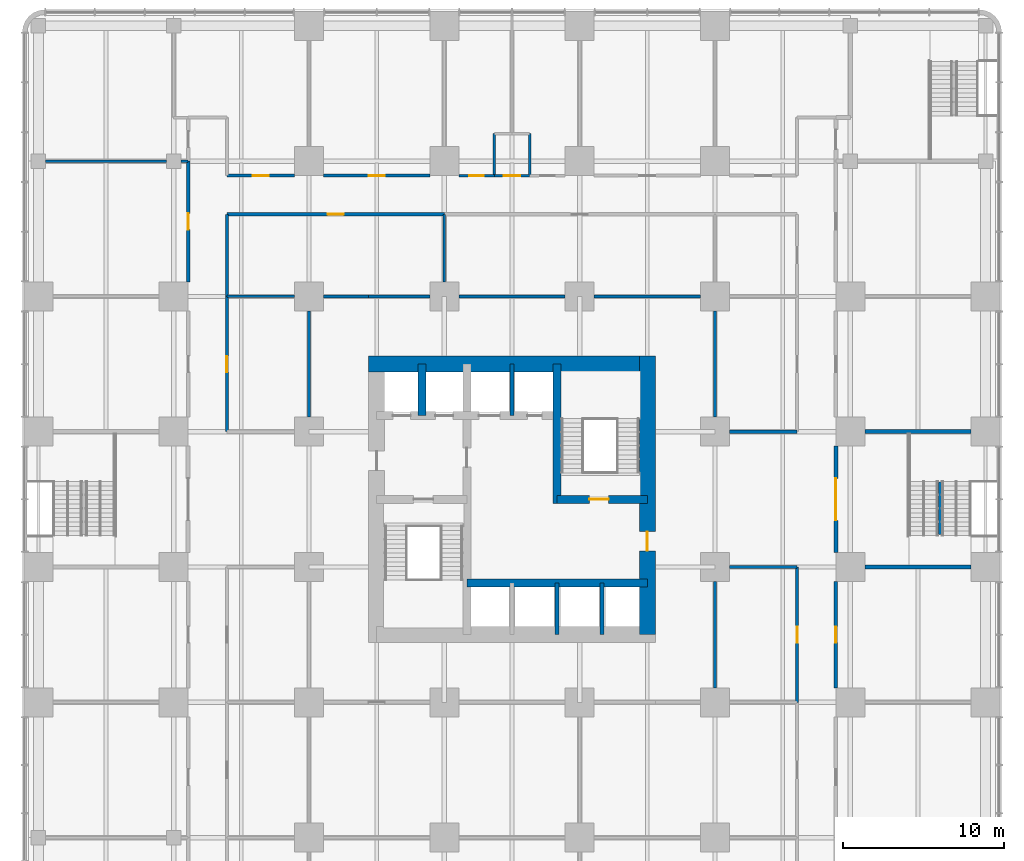
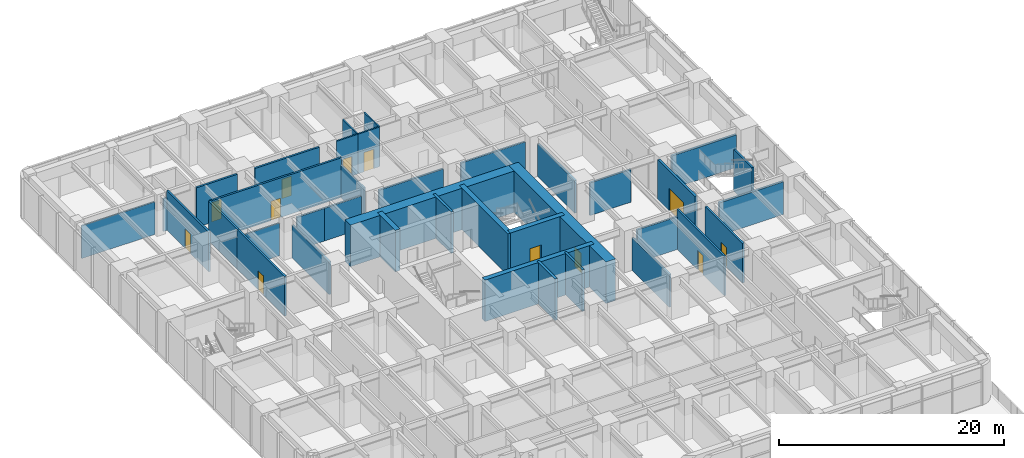
# One storey, part 13 of 20: 38 walls, 12 doors, 12 openings.
"""IFC4 building model written with IfcOpenShell, lengths in metres."""

from ifc_helpers import new_model, si_unit, direction, frame, frame_2d, origin, place, context, subcontext, project, spatial, rectangle, extrude, material, layer, layer_set, type_object, element, fill, save


model = new_model("IFC4")

# Units and contexts
model_context = context("Model", 3, precision=1e-05, world=origin(), true_north=direction((0.0, 1.0)))
body_context = subcontext(model_context, "Body", "Model", "MODEL_VIEW")
ifc_project = project(units=[si_unit("LENGTHUNIT", "METRE"), si_unit("AREAUNIT", "SQUARE_METRE"), si_unit("VOLUMEUNIT", "CUBIC_METRE"), si_unit("PLANEANGLEUNIT", "RADIAN"), si_unit("MASSUNIT", "GRAM", prefix="KILO")], contexts=[model_context])

# Site, building, storey
site_placement = place(None, origin())
site = spatial("IfcSite", under=ifc_project, at=site_placement, CompositionType="ELEMENT")
building_placement = place(site_placement, origin())
building = spatial("IfcBuilding", under=site, at=building_placement, Name="Torre Alcanfor", CompositionType="ELEMENT")
storey_placement = place(building_placement, frame((0.0, 0.0, 10.5)))
storey = spatial("IfcBuildingStorey", under=building, at=storey_placement, Name="L02", CompositionType="ELEMENT", Elevation=10.5)

# Walls
ifc_material_1 = material(Name="Concrete block masonry, hollow blocks NMX-C-404 9 MPa", Category="masonry")
ifc_layer_1 = layer(ifc_material_1, 0.14990234375)
ifc_layer_set_1 = layer_set([ifc_layer_1], Name="Classroom partition 150")
wall_type_1 = type_object("IfcWallType", Name="Classroom partition 150", PredefinedType="PARTITIONING", material=ifc_layer_set_1)
wall_1_placement = place(storey_placement, frame((0.449951171875, 50.39990234375, 0.0), z_axis=(0.0, 0.0, 1.0), x_axis=(1.0, 0.0, 0.0)))
element("IfcWall", 1, at=wall_1_placement, inside=storey, type_object=wall_type_1, Name="Partition L02-16 / L02-20", PredefinedType="PARTITIONING", context=body_context, shape_type="SweptSolid", body=[
    extrude(rectangle(XDim=7.5, YDim=0.14990234375, at=frame_2d((3.75, 0.0))), origin(), (0.0, 0.0, 1.0), 3.543212890625),
])
wall_2_placement = place(storey_placement, frame((8.85009765625, 50.39990234375, 0.0), z_axis=(0.0, 0.0, 1.0), x_axis=(1.0, 0.0, 0.0)))
element("IfcWall", 2, at=wall_2_placement, inside=storey, type_object=wall_type_1, Name="Partition L02-16 / L02-20", PredefinedType="PARTITIONING", context=body_context, shape_type="SweptSolid", body=[
    extrude(rectangle(XDim=0.449951171875, YDim=0.14990234375, at=frame_2d((0.22509765625, 0.0))), origin(), (0.0, 0.0, 1.0), 3.543212890625),
])
wall_3_placement = place(storey_placement, frame((11.699951171875, 42.0, 0.0), z_axis=(0.0, 0.0, 1.0), x_axis=(1.0, 0.0, 0.0)))
element("IfcWall", 3, at=wall_3_placement, inside=storey, type_object=wall_type_1, Name="Partition L02-I09 / L02-I11", PredefinedType="PARTITIONING", context=body_context, shape_type="SweptSolid", body=[
    extrude(rectangle(XDim=4.199951171875, YDim=0.14990234375, at=frame_2d((2.10009765625, 0.0))), origin(), (0.0, 0.0, 1.0), 3.543212890625),
])
wall_4_placement = place(storey_placement, frame((25.199951171875, 47.10009765625, 0.0), z_axis=(0.0, 0.0, 1.0), x_axis=(0.0, -1.0, 0.0)))
element("IfcWall", 4, at=wall_4_placement, inside=storey, type_object=wall_type_1, Name="Partition L02-I11 / L02-I12", PredefinedType="PARTITIONING", context=body_context, shape_type="SweptSolid", body=[
    extrude(rectangle(XDim=4.2001953125, YDim=0.14990234375, at=frame_2d((2.10009765625, 0.0))), origin(), (0.0, 0.0, 1.0), 3.543212890625),
])
ifc_material_2 = material(Name="Concrete f'c 70 MPa", Category="concrete")
ifc_layer_2 = layer(ifc_material_2, 0.5)
ifc_layer_set_2 = layer_set([ifc_layer_2], Name="Core inner wall 500 f'c70")
wall_type_2 = type_object("IfcWallType", Name="Core inner wall 500 f'c70", PredefinedType="SHEAR", material=ifc_layer_set_2)
wall_5_placement = place(storey_placement, frame((23.800048828125, 34.60009765625, 0.0), z_axis=(0.0, 0.0, 1.0), x_axis=(0.0, 1.0, 0.0)))
element("IfcWall", 5, at=wall_5_placement, inside=storey, type_object=wall_type_2, Name="Core wall X238 L02", PredefinedType="SHEAR", context=body_context, shape_type="SweptSolid", body=[
    extrude(rectangle(XDim=3.199951171875, YDim=0.5, at=frame_2d((1.60009765625, 0.0))), origin(), (0.0, 0.0, 1.0), 4.5),
])
wall_6_placement = place(storey_placement, frame((26.60009765625, 24.199951171875, 0.0), z_axis=(0.0, 0.0, 1.0), x_axis=(1.0, 0.0, 0.0)))
element("IfcWall", 6, at=wall_6_placement, inside=storey, type_object=wall_type_2, Name="Core wall Y242 L02", PredefinedType="SHEAR", context=body_context, shape_type="SweptSolid", body=[
    extrude(rectangle(XDim=11.199951171875, YDim=0.5, at=frame_2d((5.60009765625, 0.0))), origin(), (0.0, 0.0, 1.0), 4.5),
])
wall_7_placement = place(storey_placement, frame((32.199951171875, 29.14990234375, 0.0), z_axis=(0.0, 0.0, 1.0), x_axis=(0.0, 1.0, 0.0)))
element("IfcWall", 7, at=wall_7_placement, inside=storey, type_object=wall_type_2, Name="Core wall X322N L02", PredefinedType="SHEAR", context=body_context, shape_type="SweptSolid", body=[
    extrude(rectangle(XDim=8.650146484375, YDim=0.5, at=frame_2d((4.3251953125, 0.0))), origin(), (0.0, 0.0, 1.0), 4.5),
])

# Wall, opening, door
wall_8_placement = place(storey_placement, frame((32.199951171875, 29.39990234375, 0.0), z_axis=(0.0, 0.0, 1.0), x_axis=(1.0, 0.0, 0.0)))
wall_8 = element("IfcWall", 8, at=wall_8_placement, inside=storey, type_object=wall_type_2, Name="Core wall Y294E L02", PredefinedType="SHEAR", context=body_context, shape_type="SweptSolid", body=[
    extrude(rectangle(XDim=5.60009765625, YDim=0.5, at=frame_2d((2.800048828125, 0.0))), origin(), (0.0, 0.0, 1.0), 4.5),
])
opening_1_placement = place(wall_8_placement, frame((2.0, 0.0, 0.0)))
opening_1 = element("IfcOpeningElement", 9, at=opening_1_placement, cuts=wall_8, Name="Opening D-S2", PredefinedType="OPENING", context=body_context, shape_type="SweptSolid", body=[
    extrude(rectangle(XDim=1.199951171875, YDim=2.10009765625, at=frame_2d((0.60009765625, 1.050048828125))), frame((0.0, 0.260009765625, 0.0), z_axis=(0.0, -1.0, 0.0), x_axis=(1.0, 0.0, 0.0)), (0.0, 0.0, 1.0), 0.52001953125),
])
ifc_material_3 = material(Name="Galvanised steel sheet ASTM A653", Category="steel")
door_type_1 = type_object("IfcDoorType", Name="Stair enclosure door FD120 1200x2100", OperationType="SINGLE_SWING_LEFT", PredefinedType="DOOR", material=ifc_material_3)
door_1_placement = place(opening_1_placement, origin())
door_1 = element("IfcDoor", 10, at=door_1_placement, inside=storey, type_object=door_type_1, Name="Stair S2 door L02", OperationType="SINGLE_SWING_LEFT", OverallHeight=2.10009765625, OverallWidth=1.199951171875, PredefinedType="DOOR", context=body_context, shape_type="SweptSolid", body=[
    extrude(rectangle(XDim=1.199951171875, YDim=2.10009765625, at=frame_2d((0.60009765625, 1.050048828125))), frame((0.0, 0.02490234375, 0.0), z_axis=(0.0, -1.0, 0.0), x_axis=(1.0, 0.0, 0.0)), (0.0, 0.0, 1.0), 0.050048828125),
])
fill(opening_1, door_1)

# Walls
ifc_material_4 = material(Name="Concrete f'c 70 MPa", Category="concrete")
ifc_layer_3 = layer(ifc_material_4, 0.25)
ifc_layer_set_3 = layer_set([ifc_layer_3], Name="Core shaft wall 250 f'c70")
wall_type_3 = type_object("IfcWallType", Name="Core shaft wall 250 f'c70", PredefinedType="SHEAR", material=ifc_layer_set_3)
for number, where, z_axis, x_axis, name in (
    (11, (32.199951171875, 21.0, 0.0), (0.0, 0.0, 1.0), (0.0, 1.0, 0.0), "Core wall X322S L02"),
    (12, (35.0, 21.0, 0.0), (0.0, 0.0, 1.0), (0.0, 1.0, 0.0), "Core wall X350S L02"),
    (13, (29.39990234375, 34.60009765625, 0.0), (0.0, 0.0, 1.0), (0.0, 1.0, 0.0), "Core wall X294N L02"),
):
    element("IfcWall", number, at=place(storey_placement, frame(where, z_axis=z_axis, x_axis=x_axis)), inside=storey, type_object=wall_type_3, Name=name, PredefinedType="SHEAR", context=body_context, shape_type="SweptSolid", body=[
        extrude(rectangle(XDim=3.199951171875, YDim=0.25, at=frame_2d((1.60009765625, 0.0))), origin(), (0.0, 0.0, 1.0), 4.5),
    ])

# Wall, opening, door
ifc_material_5 = material(Name="Concrete f'c 70 MPa", Category="concrete")
ifc_layer_4 = layer(ifc_material_5, 1.0)
ifc_layer_set_4 = layer_set([ifc_layer_4], Name="Core wall 1000 f'c70")
wall_type_4 = type_object("IfcWallType", Name="Core wall 1000 f'c70", PredefinedType="SHEAR", material=ifc_layer_set_4)
wall_9_placement = place(storey_placement, frame((37.800048828125, 21.0, 0.0), z_axis=(0.0, 0.0, 1.0), x_axis=(0.0, 1.0, 0.0)))
wall_9 = element("IfcWall", 14, at=wall_9_placement, inside=storey, type_object=wall_type_4, Name="Core wall OUT-E L02", PredefinedType="SHEAR", context=body_context, shape_type="SweptSolid", body=[
    extrude(rectangle(XDim=17.300048828125, YDim=1.0, at=frame_2d((8.64990234375, 0.0))), origin(), (0.0, 0.0, 1.0), 4.5),
])
opening_2_placement = place(wall_9_placement, frame((5.199951171875, 0.0, 0.0)))
opening_2 = element("IfcOpeningElement", 15, at=opening_2_placement, cuts=wall_9, Name="Opening D-L1", PredefinedType="OPENING", context=body_context, shape_type="SweptSolid", body=[
    extrude(rectangle(XDim=1.199951171875, YDim=2.10009765625, at=frame_2d((0.60009765625, 1.050048828125))), frame((0.0, 0.510009765625, 0.0), z_axis=(0.0, -1.0, 0.0), x_axis=(1.0, 0.0, 0.0)), (0.0, 0.0, 1.0), 1.02001953125),
])
ifc_material_6 = material(Name="Galvanised steel sheet ASTM A653", Category="steel")
door_type_2 = type_object("IfcDoorType", Name="Lobby door FD120 1200x2100", OperationType="SINGLE_SWING_LEFT", PredefinedType="DOOR", material=ifc_material_6)
door_2_placement = place(opening_2_placement, frame((1.199951171875, 0.0, 0.0), z_axis=(0.0, 0.0, 1.0), x_axis=(-1.0, 0.0, 0.0)))
door_2 = element("IfcDoor", 16, at=door_2_placement, inside=storey, type_object=door_type_2, Name="Lift lobby entrance door L02", OperationType="SINGLE_SWING_RIGHT", OverallHeight=2.10009765625, OverallWidth=1.199951171875, PredefinedType="DOOR", context=body_context, shape_type="SweptSolid", body=[
    extrude(rectangle(XDim=1.199951171875, YDim=2.10009765625, at=frame_2d((0.599853515625, 1.050048828125))), frame((0.0, 0.025146484375, 0.0), z_axis=(0.0, -1.0, 0.0), x_axis=(1.0, 0.0, 0.0)), (0.0, 0.0, 1.0), 0.050048828125),
])
fill(opening_2, door_2)

# Wall
wall_10_placement = place(storey_placement, frame((37.800048828125, 37.800048828125, 0.0), z_axis=(0.0, 0.0, 1.0), x_axis=(-1.0, 0.0, 0.0)))
element("IfcWall", 17, at=wall_10_placement, inside=storey, type_object=wall_type_4, Name="Core wall OUT-N L02", PredefinedType="SHEAR", context=body_context, shape_type="SweptSolid", body=[
    extrude(rectangle(XDim=17.300048828125, YDim=1.0, at=frame_2d((8.64990234375, 0.0))), origin(), (0.0, 0.0, 1.0), 4.5),
])

# Wall, opening, door
ifc_material_7 = material(Name="Concrete block masonry, hollow blocks NMX-C-404 9 MPa", Category="masonry")
ifc_layer_5 = layer(ifc_material_7, 0.199951171875)
ifc_layer_set_5 = layer_set([ifc_layer_5], Name="School corridor wall 200")
wall_type_5 = type_object("IfcWallType", Name="School corridor wall 200", PredefinedType="PARTITIONING", material=ifc_layer_set_5)
wall_11_placement = place(storey_placement, frame((49.5, 17.699951171875, 0.0), z_axis=(0.0, 0.0, 1.0), x_axis=(0.0, 1.0, 0.0)))
wall_11 = element("IfcWall", 18, at=wall_11_placement, inside=storey, type_object=wall_type_5, Name="Partition L02-13 / L02-CORR", PredefinedType="PARTITIONING", context=body_context, shape_type="SweptSolid", body=[
    extrude(rectangle(XDim=6.60009765625, YDim=0.199951171875, at=frame_2d((3.300048828125, 0.0))), origin(), (0.0, 0.0, 1.0), 4.300048828125),
])
opening_3_placement = place(wall_11_placement, frame((2.800048828125, 0.0, 0.0)))
opening_3 = element("IfcOpeningElement", 19, at=opening_3_placement, cuts=wall_11, Name="Opening D-C1", PredefinedType="OPENING", context=body_context, shape_type="SweptSolid", body=[
    extrude(rectangle(XDim=1.0, YDim=2.10009765625, at=frame_2d((0.5, 1.050048828125))), frame((0.0, 0.10986328125, 0.0), z_axis=(0.0, -1.0, 0.0), x_axis=(1.0, 0.0, 0.0)), (0.0, 0.0, 1.0), 0.219970703125),
])
ifc_material_8 = material(Name="Timber", Category="wood")
door_type_3 = type_object("IfcDoorType", Name="Classroom door 1000x2100", OperationType="SINGLE_SWING_RIGHT", PredefinedType="DOOR", material=ifc_material_8)
door_3_placement = place(opening_3_placement, frame((1.0, 0.0, 0.0), z_axis=(0.0, 0.0, 1.0), x_axis=(-1.0, 0.0, 0.0)))
door_3 = element("IfcDoor", 20, at=door_3_placement, inside=storey, type_object=door_type_3, Name="Door L02-13 classroom", OperationType="SINGLE_SWING_RIGHT", OverallHeight=2.10009765625, OverallWidth=1.0, PredefinedType="DOOR", context=body_context, shape_type="SweptSolid", body=[
    extrude(rectangle(XDim=1.0, YDim=2.10009765625, at=frame_2d((0.5, 1.050048828125))), frame((0.0, 0.025146484375, 0.0), z_axis=(0.0, -1.0, 0.0), x_axis=(1.0, 0.0, 0.0)), (0.0, 0.0, 1.0), 0.050048828125),
])
fill(opening_3, door_3)

wall_12_placement = place(storey_placement, frame((9.300048828125, 50.39990234375, 0.0), z_axis=(0.0, 0.0, 1.0), x_axis=(0.0, -1.0, 0.0)))
wall_12 = element("IfcWall", 21, at=wall_12_placement, inside=storey, type_object=wall_type_5, Name="Partition L02-16 / L02-CORR", PredefinedType="PARTITIONING", context=body_context, shape_type="SweptSolid", body=[
    extrude(rectangle(XDim=7.5, YDim=0.199951171875, at=frame_2d((3.75, 0.0))), origin(), (0.0, 0.0, 1.0), 4.300048828125),
])
opening_4_placement = place(wall_12_placement, frame((3.25, 0.0, 0.0)))
opening_4 = element("IfcOpeningElement", 22, at=opening_4_placement, cuts=wall_12, Name="Opening D-C1", PredefinedType="OPENING", context=body_context, shape_type="SweptSolid", body=[
    extrude(rectangle(XDim=1.0, YDim=2.10009765625, at=frame_2d((0.5, 1.050048828125))), frame((0.0, 0.10986328125, 0.0), z_axis=(0.0, -1.0, 0.0), x_axis=(1.0, 0.0, 0.0)), (0.0, 0.0, 1.0), 0.219970703125),
])
door_4_placement = place(opening_4_placement, frame((1.0, 0.0, 0.0), z_axis=(0.0, 0.0, 1.0), x_axis=(-1.0, 0.0, 0.0)))
door_4 = element("IfcDoor", 23, at=door_4_placement, inside=storey, type_object=door_type_3, Name="Door L02-16 classroom", OperationType="SINGLE_SWING_RIGHT", OverallHeight=2.10009765625, OverallWidth=1.0, PredefinedType="DOOR", context=body_context, shape_type="SweptSolid", body=[
    extrude(rectangle(XDim=1.0, YDim=2.10009765625, at=frame_2d((0.5, 1.050048828125))), frame((0.0, 0.025146484375, 0.0), z_axis=(0.0, -1.0, 0.0), x_axis=(1.0, 0.0, 0.0)), (0.0, 0.0, 1.0), 0.050048828125),
])
fill(opening_4, door_4)

wall_13_placement = place(storey_placement, frame((24.300048828125, 49.5, 0.0), z_axis=(0.0, 0.0, 1.0), x_axis=(-1.0, 0.0, 0.0)))
wall_13 = element("IfcWall", 24, at=wall_13_placement, inside=storey, type_object=wall_type_5, Name="Partition L02-18 / L02-CORR", PredefinedType="PARTITIONING", context=body_context, shape_type="SweptSolid", body=[
    extrude(rectangle(XDim=6.60009765625, YDim=0.199951171875, at=frame_2d((3.300048828125, 0.0))), origin(), (0.0, 0.0, 1.0), 4.300048828125),
])
opening_5_placement = place(wall_13_placement, frame((2.800048828125, 0.0, 0.0)))
opening_5 = element("IfcOpeningElement", 25, at=opening_5_placement, cuts=wall_13, Name="Opening D-C1", PredefinedType="OPENING", context=body_context, shape_type="SweptSolid", body=[
    extrude(rectangle(XDim=1.0, YDim=2.10009765625, at=frame_2d((0.5, 1.050048828125))), frame((0.0, 0.10986328125, 0.0), z_axis=(0.0, -1.0, 0.0), x_axis=(1.0, 0.0, 0.0)), (0.0, 0.0, 1.0), 0.219970703125),
])
door_5_placement = place(opening_5_placement, frame((1.0, 0.0, 0.0), z_axis=(0.0, 0.0, 1.0), x_axis=(-1.0, 0.0, 0.0)))
door_5 = element("IfcDoor", 26, at=door_5_placement, inside=storey, type_object=door_type_3, Name="Door L02-18 classroom", OperationType="SINGLE_SWING_RIGHT", OverallHeight=2.10009765625, OverallWidth=1.0, PredefinedType="DOOR", context=body_context, shape_type="SweptSolid", body=[
    extrude(rectangle(XDim=1.0, YDim=2.10009765625, at=frame_2d((0.5, 1.050048828125))), frame((0.0, 0.025146484375, 0.0), z_axis=(0.0, -1.0, 0.0), x_axis=(1.0, 0.0, 0.0)), (0.0, 0.0, 1.0), 0.050048828125),
])
fill(opening_5, door_5)

wall_14_placement = place(storey_placement, frame((15.89990234375, 49.5, 0.0), z_axis=(0.0, 0.0, 1.0), x_axis=(-1.0, 0.0, 0.0)))
wall_14 = element("IfcWall", 27, at=wall_14_placement, inside=storey, type_object=wall_type_5, Name="Partition L02-22 / L02-CORR", PredefinedType="PARTITIONING", context=body_context, shape_type="SweptSolid", body=[
    extrude(rectangle(XDim=4.199951171875, YDim=0.199951171875, at=frame_2d((2.10009765625, 0.0))), origin(), (0.0, 0.0, 1.0), 4.300048828125),
])
opening_6_placement = place(wall_14_placement, frame((1.60009765625, 0.0, 0.0)))
opening_6 = element("IfcOpeningElement", 28, at=opening_6_placement, cuts=wall_14, Name="Opening D-C1", PredefinedType="OPENING", context=body_context, shape_type="SweptSolid", body=[
    extrude(rectangle(XDim=1.0, YDim=2.10009765625, at=frame_2d((0.5, 1.050048828125))), frame((0.0, 0.10986328125, 0.0), z_axis=(0.0, -1.0, 0.0), x_axis=(1.0, 0.0, 0.0)), (0.0, 0.0, 1.0), 0.219970703125),
])
door_6_placement = place(opening_6_placement, frame((1.0, 0.0, 0.0), z_axis=(0.0, 0.0, 1.0), x_axis=(-1.0, 0.0, 0.0)))
door_6 = element("IfcDoor", 29, at=door_6_placement, inside=storey, type_object=door_type_3, Name="Door L02-22 classroom", OperationType="SINGLE_SWING_RIGHT", OverallHeight=2.10009765625, OverallWidth=1.0, PredefinedType="DOOR", context=body_context, shape_type="SweptSolid", body=[
    extrude(rectangle(XDim=1.0, YDim=2.10009765625, at=frame_2d((0.5, 1.050048828125))), frame((0.0, 0.025146484375, 0.0), z_axis=(0.0, -1.0, 0.0), x_axis=(1.0, 0.0, 0.0)), (0.0, 0.0, 1.0), 0.050048828125),
])
fill(opening_6, door_6)

wall_15_placement = place(storey_placement, frame((47.10009765625, 16.800048828125, 0.0), z_axis=(0.0, 0.0, 1.0), x_axis=(0.0, 1.0, 0.0)))
wall_15 = element("IfcWall", 30, at=wall_15_placement, inside=storey, type_object=wall_type_5, Name="Partition L02-CORR / L02-I08", PredefinedType="PARTITIONING", context=body_context, shape_type="SweptSolid", body=[
    extrude(rectangle(XDim=8.39990234375, YDim=0.199951171875, at=frame_2d((4.199951171875, 0.0))), origin(), (0.0, 0.0, 1.0), 4.300048828125),
])
opening_7_placement = place(wall_15_placement, frame((3.699951171875, 0.0, 0.0)))
opening_7 = element("IfcOpeningElement", 31, at=opening_7_placement, cuts=wall_15, Name="Opening D-C1", PredefinedType="OPENING", context=body_context, shape_type="SweptSolid", body=[
    extrude(rectangle(XDim=1.0, YDim=2.10009765625, at=frame_2d((0.5, 1.050048828125))), frame((0.0, 0.10986328125, 0.0), z_axis=(0.0, -1.0, 0.0), x_axis=(1.0, 0.0, 0.0)), (0.0, 0.0, 1.0), 0.219970703125),
])
door_7_placement = place(opening_7_placement, origin())
door_7 = element("IfcDoor", 32, at=door_7_placement, inside=storey, type_object=door_type_3, Name="Door L02-I08 group room", OperationType="SINGLE_SWING_LEFT", OverallHeight=2.10009765625, OverallWidth=1.0, PredefinedType="DOOR", context=body_context, shape_type="SweptSolid", body=[
    extrude(rectangle(XDim=1.0, YDim=2.10009765625, at=frame_2d((0.5, 1.050048828125))), frame((0.0, 0.02490234375, 0.0), z_axis=(0.0, -1.0, 0.0), x_axis=(1.0, 0.0, 0.0)), (0.0, 0.0, 1.0), 0.050048828125),
])
fill(opening_7, door_7)

wall_16_placement = place(storey_placement, frame((11.699951171875, 42.0, 0.0), z_axis=(0.0, 0.0, 1.0), x_axis=(0.0, -1.0, 0.0)))
wall_16 = element("IfcWall", 33, at=wall_16_placement, inside=storey, type_object=wall_type_5, Name="Partition L02-CORR / L02-I09", PredefinedType="PARTITIONING", context=body_context, shape_type="SweptSolid", body=[
    extrude(rectangle(XDim=8.39990234375, YDim=0.199951171875, at=frame_2d((4.199951171875, 0.0))), origin(), (0.0, 0.0, 1.0), 4.300048828125),
])
opening_8_placement = place(wall_16_placement, frame((3.699951171875, 0.0, 0.0)))
opening_8 = element("IfcOpeningElement", 34, at=opening_8_placement, cuts=wall_16, Name="Opening D-C1", PredefinedType="OPENING", context=body_context, shape_type="SweptSolid", body=[
    extrude(rectangle(XDim=1.0, YDim=2.10009765625, at=frame_2d((0.5, 1.050048828125))), frame((0.0, 0.10986328125, 0.0), z_axis=(0.0, -1.0, 0.0), x_axis=(1.0, 0.0, 0.0)), (0.0, 0.0, 1.0), 0.219970703125),
])
door_8_placement = place(opening_8_placement, origin())
door_8 = element("IfcDoor", 35, at=door_8_placement, inside=storey, type_object=door_type_3, Name="Door L02-I09 practice room", OperationType="SINGLE_SWING_LEFT", OverallHeight=2.10009765625, OverallWidth=1.0, PredefinedType="DOOR", context=body_context, shape_type="SweptSolid", body=[
    extrude(rectangle(XDim=1.0, YDim=2.10009765625, at=frame_2d((0.5, 1.050048828125))), frame((0.0, 0.02490234375, 0.0), z_axis=(0.0, -1.0, 0.0), x_axis=(1.0, 0.0, 0.0)), (0.0, 0.0, 1.0), 0.050048828125),
])
fill(opening_8, door_8)

wall_17_placement = place(storey_placement, frame((25.199951171875, 47.10009765625, 0.0), z_axis=(0.0, 0.0, 1.0), x_axis=(-1.0, 0.0, 0.0)))
wall_17 = element("IfcWall", 36, at=wall_17_placement, inside=storey, type_object=wall_type_5, Name="Partition L02-CORR / L02-I11", PredefinedType="PARTITIONING", context=body_context, shape_type="SweptSolid", body=[
    extrude(rectangle(XDim=13.5, YDim=0.199951171875, at=frame_2d((6.75, 0.0))), origin(), (0.0, 0.0, 1.0), 4.300048828125),
])
opening_9_placement = place(wall_17_placement, frame((6.25, 0.0, 0.0)))
opening_9 = element("IfcOpeningElement", 37, at=opening_9_placement, cuts=wall_17, Name="Opening D-C1", PredefinedType="OPENING", context=body_context, shape_type="SweptSolid", body=[
    extrude(rectangle(XDim=1.0, YDim=2.10009765625, at=frame_2d((0.5, 1.050048828125))), frame((0.0, 0.10986328125, 0.0), z_axis=(0.0, -1.0, 0.0), x_axis=(1.0, 0.0, 0.0)), (0.0, 0.0, 1.0), 0.219970703125),
])
door_9_placement = place(opening_9_placement, origin())
door_9 = element("IfcDoor", 38, at=door_9_placement, inside=storey, type_object=door_type_3, Name="Door L02-I11 art room", OperationType="SINGLE_SWING_LEFT", OverallHeight=2.10009765625, OverallWidth=1.0, PredefinedType="DOOR", context=body_context, shape_type="SweptSolid", body=[
    extrude(rectangle(XDim=1.0, YDim=2.10009765625, at=frame_2d((0.5, 1.050048828125))), frame((0.0, 0.02490234375, 0.0), z_axis=(0.0, -1.0, 0.0), x_axis=(1.0, 0.0, 0.0)), (0.0, 0.0, 1.0), 0.050048828125),
])
fill(opening_9, door_9)

# Walls
wall_18_placement = place(storey_placement, frame((11.699951171875, 47.10009765625, 0.0), z_axis=(0.0, 0.0, 1.0), x_axis=(0.0, -1.0, 0.0)))
element("IfcWall", 39, at=wall_18_placement, inside=storey, type_object=wall_type_5, Name="Partition L02-CORR / L02-I11", PredefinedType="PARTITIONING", context=body_context, shape_type="SweptSolid", body=[
    extrude(rectangle(XDim=5.10009765625, YDim=0.199951171875, at=frame_2d((2.550048828125, 0.0))), origin(), (0.0, 0.0, 1.0), 4.300048828125),
])
wall_19_placement = place(storey_placement, frame((16.800048828125, 34.5, 0.0), z_axis=(0.0, 0.0, 1.0), x_axis=(0.0, 1.0, 0.0)))
element("IfcWall", 40, at=wall_19_placement, inside=storey, type_object=wall_type_5, Name="Partition L02-LLW / L02-I09", PredefinedType="PARTITIONING", context=body_context, shape_type="SweptSolid", body=[
    extrude(rectangle(XDim=6.60009765625, YDim=0.199951171875, at=frame_2d((3.300048828125, 0.0))), origin(), (0.0, 0.0, 1.0), 3.543212890625),
])
wall_20_placement = place(storey_placement, frame((17.699951171875, 42.0, 0.0), z_axis=(0.0, 0.0, 1.0), x_axis=(1.0, 0.0, 0.0)))
element("IfcWall", 41, at=wall_20_placement, inside=storey, type_object=wall_type_5, Name="Partition L02-LLW / L02-I11", PredefinedType="PARTITIONING", context=body_context, shape_type="SweptSolid", body=[
    extrude(rectangle(XDim=2.800048828125, YDim=0.199951171875, at=frame_2d((1.39990234375, 0.0))), origin(), (0.0, 0.0, 1.0), 3.543212890625),
])
wall_21_placement = place(storey_placement, frame((42.0, 24.300048828125, 0.0), z_axis=(0.0, 0.0, 1.0), x_axis=(0.0, -1.0, 0.0)))
element("IfcWall", 42, at=wall_21_placement, inside=storey, type_object=wall_type_5, Name="Partition L02-LLE / L02-I08", PredefinedType="PARTITIONING", context=body_context, shape_type="SweptSolid", body=[
    extrude(rectangle(XDim=6.60009765625, YDim=0.199951171875, at=frame_2d((3.300048828125, 0.0))), origin(), (0.0, 0.0, 1.0), 3.543212890625),
])
wall_22_placement = place(storey_placement, frame((47.10009765625, 25.199951171875, 0.0), z_axis=(0.0, 0.0, 1.0), x_axis=(-1.0, 0.0, 0.0)))
element("IfcWall", 43, at=wall_22_placement, inside=storey, type_object=wall_type_5, Name="Partition L02-LLE / L02-I08", PredefinedType="PARTITIONING", context=body_context, shape_type="SweptSolid", body=[
    extrude(rectangle(XDim=4.2001953125, YDim=0.199951171875, at=frame_2d((2.10009765625, 0.0))), origin(), (0.0, 0.0, 1.0), 3.543212890625),
])
wall_23_placement = place(storey_placement, frame((42.0, 41.10009765625, 0.0), z_axis=(0.0, 0.0, 1.0), x_axis=(0.0, -1.0, 0.0)))
element("IfcWall", 44, at=wall_23_placement, inside=storey, type_object=wall_type_5, Name="Partition L02-LLE / L02-I10", PredefinedType="PARTITIONING", context=body_context, shape_type="SweptSolid", body=[
    extrude(rectangle(XDim=6.60009765625, YDim=0.199951171875, at=frame_2d((3.300048828125, 0.0))), origin(), (0.0, 0.0, 1.0), 3.543212890625),
])
wall_24_placement = place(storey_placement, frame((42.89990234375, 33.60009765625, 0.0), z_axis=(0.0, 0.0, 1.0), x_axis=(1.0, 0.0, 0.0)))
element("IfcWall", 45, at=wall_24_placement, inside=storey, type_object=wall_type_5, Name="Partition L02-LLE / L02-I10", PredefinedType="PARTITIONING", context=body_context, shape_type="SweptSolid", body=[
    extrude(rectangle(XDim=4.2001953125, YDim=0.199951171875, at=frame_2d((2.10009765625, 0.0))), origin(), (0.0, 0.0, 1.0), 3.543212890625),
])
wall_25_placement = place(storey_placement, frame((20.5, 42.0, 0.0), z_axis=(0.0, 0.0, 1.0), x_axis=(1.0, 0.0, 0.0)))
element("IfcWall", 46, at=wall_25_placement, inside=storey, type_object=wall_type_5, Name="Partition L02-LLE / L02-I11", PredefinedType="PARTITIONING", context=body_context, shape_type="SweptSolid", body=[
    extrude(rectangle(XDim=3.800048828125, YDim=0.199951171875, at=frame_2d((1.89990234375, 0.0))), origin(), (0.0, 0.0, 1.0), 3.543212890625),
])
wall_26_placement = place(storey_placement, frame((26.10009765625, 42.0, 0.0), z_axis=(0.0, 0.0, 1.0), x_axis=(1.0, 0.0, 0.0)))
element("IfcWall", 47, at=wall_26_placement, inside=storey, type_object=wall_type_5, Name="Partition L02-LLE / L02-I12", PredefinedType="PARTITIONING", context=body_context, shape_type="SweptSolid", body=[
    extrude(rectangle(XDim=6.599853515625, YDim=0.199951171875, at=frame_2d((3.2998046875, 0.0))), origin(), (0.0, 0.0, 1.0), 3.543212890625),
])
wall_27_placement = place(storey_placement, frame((34.5, 42.0, 0.0), z_axis=(0.0, 0.0, 1.0), x_axis=(1.0, 0.0, 0.0)))
element("IfcWall", 48, at=wall_27_placement, inside=storey, type_object=wall_type_5, Name="Partition L02-LLE / L02-I12", PredefinedType="PARTITIONING", context=body_context, shape_type="SweptSolid", body=[
    extrude(rectangle(XDim=6.60009765625, YDim=0.199951171875, at=frame_2d((3.300048828125, 0.0))), origin(), (0.0, 0.0, 1.0), 3.543212890625),
])
ifc_material_9 = material(Name="Reinforced concrete block masonry, hollow blocks NMX-C-404 9 MPa", Category="masonry")
ifc_layer_6 = layer(ifc_material_9, 0.25)
ifc_layer_set_6 = layer_set([ifc_layer_6], Name="Stair enclosure wall 250 EI 120")
wall_type_6 = type_object("IfcWallType", Name="Stair enclosure wall 250 EI 120", PredefinedType="SOLIDWALL", material=ifc_layer_set_6)
for number, where, z_axis, x_axis, name in (
    (49, (57.89990234375, 25.199951171875, 0.0), (0.0, 0.0, 1.0), (-1.0, 0.0, 0.0), "Partition L02-SS2 / L02-13"),
    (50, (51.300048828125, 33.60009765625, 0.0), (0.0, 0.0, 1.0), (1.0, 0.0, 0.0), "Partition L02-SS2 / L02-15"),
):
    element("IfcWall", number, at=place(storey_placement, frame(where, z_axis=z_axis, x_axis=x_axis)), inside=storey, type_object=wall_type_6, Name=name, PredefinedType="SOLIDWALL", context=body_context, shape_type="SweptSolid", body=[
        extrude(rectangle(XDim=6.599853515625, YDim=0.25, at=frame_2d((3.2998046875, 0.0))), origin(), (0.0, 0.0, 1.0), 3.543212890625),
    ])

# Wall, opening, door
wall_28_placement = place(storey_placement, frame((49.5, 26.10009765625, 0.0), z_axis=(0.0, 0.0, 1.0), x_axis=(0.0, 1.0, 0.0)))
wall_28 = element("IfcWall", 51, at=wall_28_placement, inside=storey, type_object=wall_type_6, Name="Partition L02-SS2 / L02-CORR", PredefinedType="SOLIDWALL", context=body_context, shape_type="SweptSolid", body=[
    extrude(rectangle(XDim=6.599853515625, YDim=0.25, at=frame_2d((3.2998046875, 0.0))), origin(), (0.0, 0.0, 1.0), 4.300048828125),
])
opening_10_placement = place(wall_28_placement, frame((2.0, 0.0, 0.0)))
opening_10 = element("IfcOpeningElement", 52, at=opening_10_placement, cuts=wall_28, Name="Opening D-S4", PredefinedType="OPENING", context=body_context, shape_type="SweptSolid", body=[
    extrude(rectangle(XDim=2.60009765625, YDim=2.39990234375, at=frame_2d((1.300048828125, 1.199951171875))), frame((0.0, 0.135009765625, 0.0), z_axis=(0.0, -1.0, 0.0), x_axis=(1.0, 0.0, 0.0)), (0.0, 0.0, 1.0), 0.27001953125),
])
ifc_material_10 = material(Name="Galvanised steel sheet ASTM A653", Category="steel")
door_type_4 = type_object("IfcDoorType", Name="School stair double door FD120 2600x2400", OperationType="DOUBLE_DOOR_SINGLE_SWING", PredefinedType="DOOR", material=ifc_material_10)
door_10_placement = place(opening_10_placement, frame((2.60009765625, 0.0, 0.0), z_axis=(0.0, 0.0, 1.0), x_axis=(-1.0, 0.0, 0.0)))
door_10 = element("IfcDoor", 53, at=door_10_placement, inside=storey, type_object=door_type_4, Name="Door L02-SS2 school stair ss2", OperationType="DOUBLE_DOOR_SINGLE_SWING", OverallHeight=2.39990234375, OverallWidth=2.60009765625, PredefinedType="DOOR", context=body_context, shape_type="SweptSolid", body=[
    extrude(rectangle(XDim=2.60009765625, YDim=2.39990234375, at=frame_2d((1.300048828125, 1.199951171875))), frame((0.0, 0.025146484375, 0.0), z_axis=(0.0, -1.0, 0.0), x_axis=(1.0, 0.0, 0.0)), (0.0, 0.0, 1.0), 0.050048828125),
])
fill(opening_10, door_10)

# Walls
ifc_material_11 = material(Name="Concrete f'c 35 MPa", Category="concrete")
ifc_layer_7 = layer(ifc_material_11, 0.199951171875)
ifc_layer_set_7 = layer_set([ifc_layer_7], Name="Stair spine wall 200")
wall_type_7 = type_object("IfcWallType", Name="Stair spine wall 200", PredefinedType="SOLIDWALL", material=ifc_layer_set_7)
wall_29_placement = place(storey_placement, frame((55.969970703125, 27.205078125, 0.0), z_axis=(0.0, 0.0, 1.0), x_axis=(0.0, 1.0, 0.0)))
element("IfcWall", 54, at=wall_29_placement, inside=storey, type_object=wall_type_7, Name="Stair spine wall SS2 L02", PredefinedType="SOLIDWALL", context=body_context, shape_type="SweptSolid", body=[
    extrude(rectangle(XDim=3.260009765625, YDim=0.199951171875, at=frame_2d((1.6298828125, 0.0))), origin(), (0.0, 0.0, 1.0), 4.5),
])
ifc_material_12 = material(Name="Cement board on steel studs", Category="steel")
ifc_layer_8 = layer(ifc_material_12, 0.14990234375)
ifc_layer_set_8 = layer_set([ifc_layer_8], Name="Wet area partition 150")
wall_type_8 = type_object("IfcWallType", Name="Wet area partition 150", PredefinedType="PARTITIONING", material=ifc_layer_set_8)
wall_30_placement = place(storey_placement, frame((28.300048828125, 52.10009765625, 0.0), z_axis=(0.0, 0.0, 1.0), x_axis=(0.0, -1.0, 0.0)))
element("IfcWall", 55, at=wall_30_placement, inside=storey, type_object=wall_type_8, Name="Partition L02-WCN1 / L02-WCN2", PredefinedType="PARTITIONING", context=body_context, shape_type="SweptSolid", body=[
    extrude(rectangle(XDim=2.60009765625, YDim=0.14990234375, at=frame_2d((1.300048828125, 0.0))), origin(), (0.0, 0.0, 1.0), 4.300048828125),
])

# Wall, opening, door
wall_31_placement = place(storey_placement, frame((28.300048828125, 49.5, 0.0), z_axis=(0.0, 0.0, 1.0), x_axis=(-1.0, 0.0, 0.0)))
wall_31 = element("IfcWall", 56, at=wall_31_placement, inside=storey, type_object=wall_type_8, Name="Partition L02-WCN1 / L02-CORR", PredefinedType="PARTITIONING", context=body_context, shape_type="SweptSolid", body=[
    extrude(rectangle(XDim=2.199951171875, YDim=0.14990234375, at=frame_2d((1.10009765625, 0.0))), origin(), (0.0, 0.0, 1.0), 4.300048828125),
])
opening_11_placement = place(wall_31_placement, frame((0.64990234375, 0.0, 0.0)))
opening_11 = element("IfcOpeningElement", 57, at=opening_11_placement, cuts=wall_31, Name="Opening D-W1", PredefinedType="OPENING", context=body_context, shape_type="SweptSolid", body=[
    extrude(rectangle(XDim=0.89990234375, YDim=2.10009765625, at=frame_2d((0.449951171875, 1.050048828125))), frame((0.0, 0.0849609375, 0.0), z_axis=(0.0, -1.0, 0.0), x_axis=(1.0, 0.0, 0.0)), (0.0, 0.0, 1.0), 0.169921875),
])
ifc_material_13 = material(Name="Timber", Category="wood")
door_type_5 = type_object("IfcDoorType", Name="Toilet door 900x2100", OperationType="SINGLE_SWING_LEFT", PredefinedType="DOOR", material=ifc_material_13)
door_11_placement = place(opening_11_placement, frame((0.89990234375, 0.0, 0.0), z_axis=(0.0, 0.0, 1.0), x_axis=(-1.0, 0.0, 0.0)))
door_11 = element("IfcDoor", 58, at=door_11_placement, inside=storey, type_object=door_type_5, Name="Door L02-WCN1 boys toilets", OperationType="SINGLE_SWING_RIGHT", OverallHeight=2.10009765625, OverallWidth=0.89990234375, PredefinedType="DOOR", context=body_context, shape_type="SweptSolid", body=[
    extrude(rectangle(XDim=0.89990234375, YDim=2.10009765625, at=frame_2d((0.449951171875, 1.050048828125))), frame((0.0, 0.025146484375, 0.0), z_axis=(0.0, -1.0, 0.0), x_axis=(1.0, 0.0, 0.0)), (0.0, 0.0, 1.0), 0.050048828125),
])
fill(opening_11, door_11)

# Wall
wall_32_placement = place(storey_placement, frame((30.5, 52.10009765625, 0.0), z_axis=(0.0, 0.0, 1.0), x_axis=(0.0, -1.0, 0.0)))
element("IfcWall", 59, at=wall_32_placement, inside=storey, type_object=wall_type_8, Name="Partition L02-WCN2 / L02-WCN3", PredefinedType="PARTITIONING", context=body_context, shape_type="SweptSolid", body=[
    extrude(rectangle(XDim=2.60009765625, YDim=0.14990234375, at=frame_2d((1.300048828125, 0.0))), origin(), (0.0, 0.0, 1.0), 4.300048828125),
])

# Wall, opening, door
wall_33_placement = place(storey_placement, frame((30.5, 49.5, 0.0), z_axis=(0.0, 0.0, 1.0), x_axis=(-1.0, 0.0, 0.0)))
wall_33 = element("IfcWall", 60, at=wall_33_placement, inside=storey, type_object=wall_type_8, Name="Partition L02-WCN2 / L02-CORR", PredefinedType="PARTITIONING", context=body_context, shape_type="SweptSolid", body=[
    extrude(rectangle(XDim=2.199951171875, YDim=0.14990234375, at=frame_2d((1.10009765625, 0.0))), origin(), (0.0, 0.0, 1.0), 4.300048828125),
])
opening_12_placement = place(wall_33_placement, frame((0.60009765625, 0.0, 0.0)))
opening_12 = element("IfcOpeningElement", 61, at=opening_12_placement, cuts=wall_33, Name="Opening D-W2", PredefinedType="OPENING", context=body_context, shape_type="SweptSolid", body=[
    extrude(rectangle(XDim=1.0, YDim=2.10009765625, at=frame_2d((0.5, 1.050048828125))), frame((0.0, 0.0849609375, 0.0), z_axis=(0.0, -1.0, 0.0), x_axis=(1.0, 0.0, 0.0)), (0.0, 0.0, 1.0), 0.169921875),
])
ifc_material_14 = material(Name="Timber", Category="wood")
door_type_6 = type_object("IfcDoorType", Name="Accessible WC door 1000x2100", OperationType="SINGLE_SWING_LEFT", PredefinedType="DOOR", material=ifc_material_14)
door_12_placement = place(opening_12_placement, origin())
door_12 = element("IfcDoor", 62, at=door_12_placement, inside=storey, type_object=door_type_6, Name="Door L02-WCN2 accessible wc", OperationType="SINGLE_SWING_LEFT", OverallHeight=2.10009765625, OverallWidth=1.0, PredefinedType="DOOR", context=body_context, shape_type="SweptSolid", body=[
    extrude(rectangle(XDim=1.0, YDim=2.10009765625, at=frame_2d((0.5, 1.050048828125))), frame((0.0, 0.02490234375, 0.0), z_axis=(0.0, -1.0, 0.0), x_axis=(1.0, 0.0, 0.0)), (0.0, 0.0, 1.0), 0.050048828125),
])
fill(opening_12, door_12)

save(model, "model.ifc")
